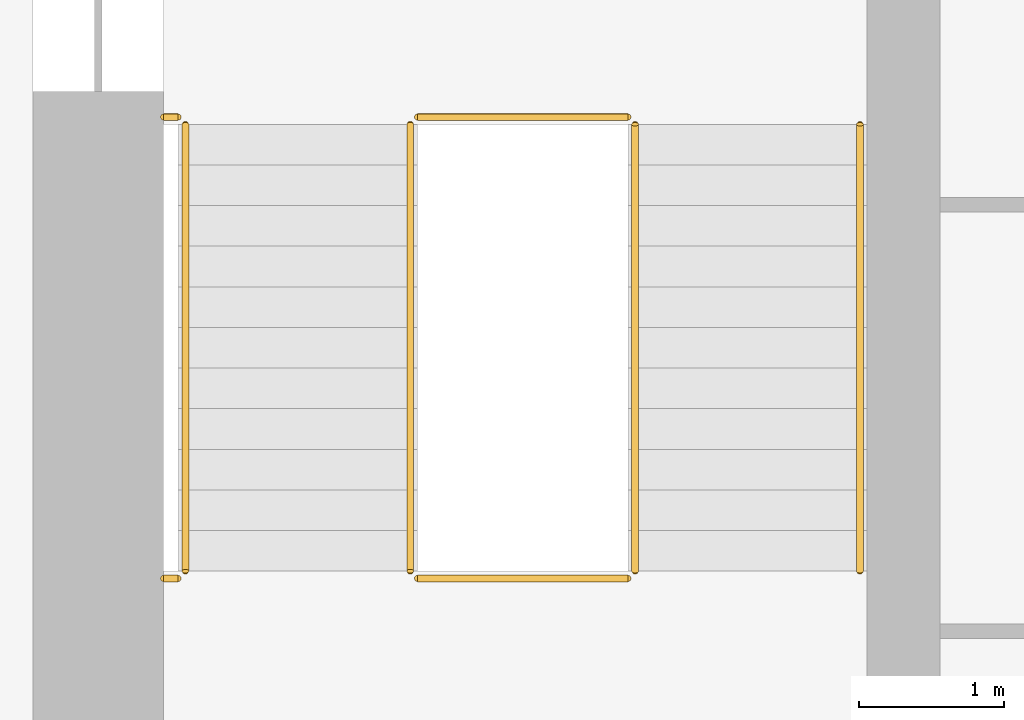
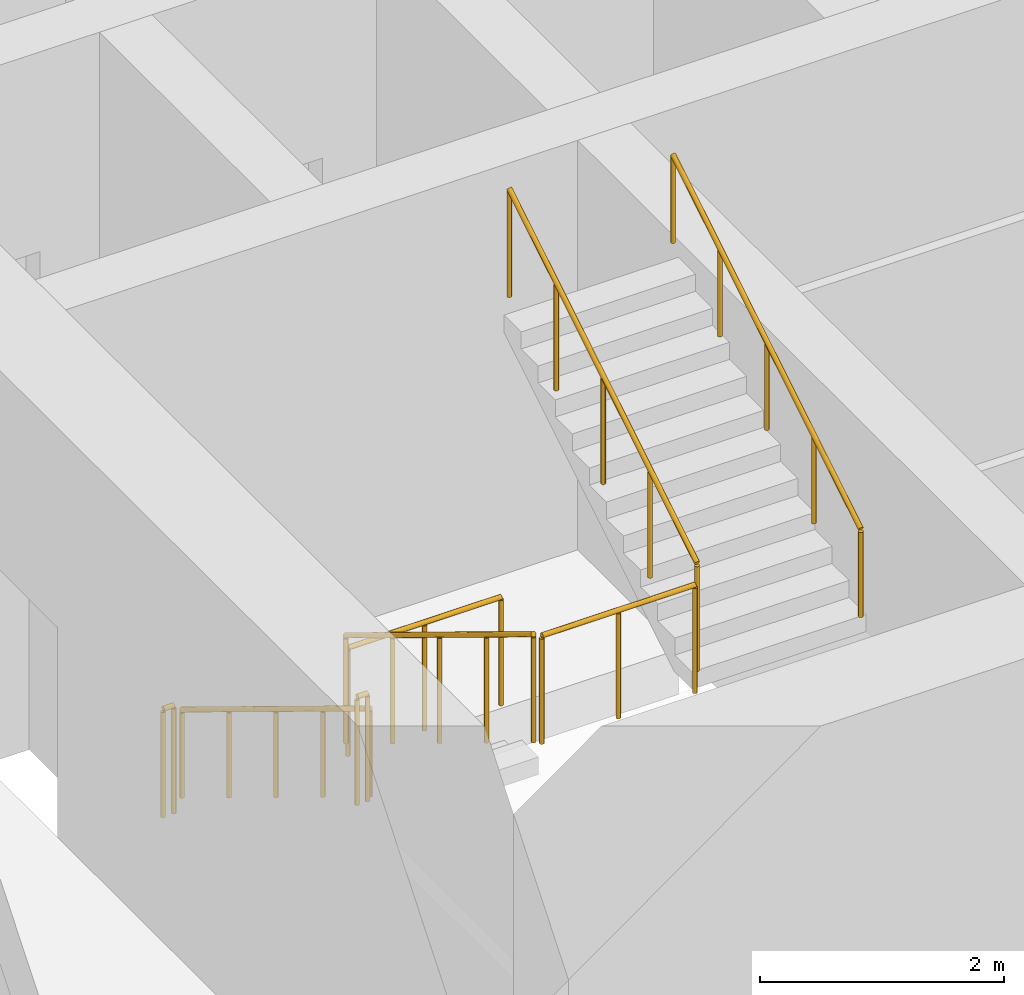
# One storey, part 10 of 16: 8 railings.
"""IFC4 building model written with IfcOpenShell, lengths in metres."""

from ifc_helpers import new_model, si_unit, direction, frame, origin, origin_2d, place, context, subcontext, project, spatial, circle, extrude, material, type_object, element, save


model = new_model("IFC4")

# Units and contexts
model_context = context("Model", 3, precision=1e-05, world=origin(), true_north=direction((0.0, 1.0)))
body_context = subcontext(model_context, "Body", "Model", "MODEL_VIEW")
ifc_project = project(units=[si_unit("LENGTHUNIT", "METRE"), si_unit("AREAUNIT", "SQUARE_METRE"), si_unit("VOLUMEUNIT", "CUBIC_METRE"), si_unit("PLANEANGLEUNIT", "RADIAN"), si_unit("MASSUNIT", "GRAM", prefix="KILO")], contexts=[model_context])

# Site, building, storey
site_placement = place(None, origin())
site = spatial("IfcSite", under=ifc_project, at=site_placement, CompositionType="ELEMENT")
building_placement = place(site_placement, origin())
building = spatial("IfcBuilding", under=site, at=building_placement, Name="Corbel Stack Research Tower", CompositionType="ELEMENT")
storey_placement = place(building_placement, frame((0.0, 0.0, 120.800048828125)))
storey = spatial("IfcBuildingStorey", under=building, at=storey_placement, Name="L27", CompositionType="ELEMENT", Elevation=120.800048828125)

# Railings
ifc_material_1 = material(Name="Steel S355", Category="steel")
railing_type_1 = type_object("IfcRailingType", Name="Stair guard 1100", PredefinedType="GUARDRAIL", material=ifc_material_1)
railing_1_placement = place(storey_placement, frame((-7.89990234375, -2.39990234375, 0.1708984375)))
element("IfcRailing", 1, at=railing_1_placement, inside=storey, type_object=railing_type_1, Name="L27 ST-W1 stair guard 1", PredefinedType="GUARDRAIL", context=body_context, shape_type="SweptSolid", body=[
    extrude(circle(Radius=0.02392578125, at=origin_2d()), frame((0.0, 0.0, 1.076171875), z_axis=(0.0, -0.853666305674, 0.52082035152), x_axis=(1.0, 0.0, 0.0)), (0.0, 0.0, 1.0), 3.608154296875),
    extrude(circle(Radius=0.02099609375, at=origin_2d()), origin(), (0.0, 0.0, 1.0), 1.052001953125),
    extrude(circle(Radius=0.02099609375, at=origin_2d()), frame((0.0, -0.77001953125, 0.4697265625)), (0.0, 0.0, 1.0), 1.052001953125),
    extrude(circle(Radius=0.02099609375, at=origin_2d()), frame((0.0, -1.5400390625, 0.939453125)), (0.0, 0.0, 1.0), 1.052001953125),
    extrude(circle(Radius=0.02099609375, at=origin_2d()), frame((0.0, -2.31005859375, 1.409423828125)), (0.0, 0.0, 1.0), 1.052001953125),
    extrude(circle(Radius=0.02099609375, at=origin_2d()), frame((0.0, -3.080078125, 1.879150390625)), (0.0, 0.0, 1.0), 1.052001953125),
])
railing_2_placement = place(storey_placement, frame((-7.85009765625, -5.530029296875, 2.050048828125)))
element("IfcRailing", 2, at=railing_2_placement, inside=storey, type_object=railing_type_1, Name="L27 ST-W1 stair guard 2", PredefinedType="GUARDRAIL", context=body_context, shape_type="SweptSolid", body=[
    extrude(circle(Radius=0.02392578125, at=origin_2d()), frame((0.0, 0.0, 1.076171875), z_axis=(1.0, 0.0, 0.0), x_axis=(0.0, 1.0, 0.0)), (0.0, 0.0, 1.0), 1.4501953125),
    extrude(circle(Radius=0.02099609375, at=origin_2d()), origin(), (0.0, 0.0, 1.0), 1.052001953125),
    extrude(circle(Radius=0.02099609375, at=origin_2d()), frame((0.72509765625, 0.0, 0.0)), (0.0, 0.0, 1.0), 1.052001953125),
    extrude(circle(Radius=0.02099609375, at=origin_2d()), frame((1.4501953125, 0.0, 0.0)), (0.0, 0.0, 1.0), 1.052001953125),
])
railing_3_placement = place(storey_placement, frame((-9.60009765625, -5.530029296875, 2.050048828125)))
element("IfcRailing", 3, at=railing_3_placement, inside=storey, type_object=railing_type_1, Name="L27 ST-W1 stair guard 3", PredefinedType="GUARDRAIL", context=body_context, shape_type="SweptSolid", body=[
    extrude(circle(Radius=0.02392578125, at=origin_2d()), frame((0.0, 0.0, 1.076171875), z_axis=(1.0, 0.0, 0.0), x_axis=(0.0, 1.0, 0.0)), (0.0, 0.0, 1.0), 0.10009765625),
    extrude(circle(Radius=0.02099609375, at=origin_2d()), origin(), (0.0, 0.0, 1.0), 1.052001953125),
    extrude(circle(Radius=0.02099609375, at=origin_2d()), frame((0.10009765625, 0.0, 0.0)), (0.0, 0.0, 1.0), 1.052001953125),
])
railing_4_placement = place(storey_placement, frame((-6.35009765625, -5.47998046875, 2.220703125)))
element("IfcRailing", 4, at=railing_4_placement, inside=storey, type_object=railing_type_1, Name="L27 ST-W1 stair guard 4", PredefinedType="GUARDRAIL", context=body_context, shape_type="SweptSolid", body=[
    extrude(circle(Radius=0.02392578125, at=origin_2d()), frame((0.0, 0.0, 1.076171875), z_axis=(0.0, 0.853666305674, 0.52082035152), x_axis=(-1.0, 0.0, 0.0)), (0.0, 0.0, 1.0), 3.608154296875),
    extrude(circle(Radius=0.02099609375, at=origin_2d()), origin(), (0.0, 0.0, 1.0), 1.052001953125),
    extrude(circle(Radius=0.02099609375, at=origin_2d()), frame((0.0, 0.77001953125, 0.4697265625)), (0.0, 0.0, 1.0), 1.052001953125),
    extrude(circle(Radius=0.02099609375, at=origin_2d()), frame((0.0, 1.5400390625, 0.939453125)), (0.0, 0.0, 1.0), 1.052001953125),
    extrude(circle(Radius=0.02099609375, at=origin_2d()), frame((0.0, 2.31005859375, 1.409423828125)), (0.0, 0.0, 1.0), 1.052001953125),
    extrude(circle(Radius=0.02099609375, at=origin_2d()), frame((0.0, 3.080078125, 1.879150390625)), (0.0, 0.0, 1.0), 1.052001953125),
])
railing_5_placement = place(storey_placement, frame((-7.85009765625, -2.35009765625, 0.0)))
element("IfcRailing", 5, at=railing_5_placement, inside=storey, type_object=railing_type_1, Name="L27 ST-W1 stair guard 5", PredefinedType="GUARDRAIL", context=body_context, shape_type="SweptSolid", body=[
    extrude(circle(Radius=0.02392578125, at=origin_2d()), frame((0.0, 0.0, 1.076171875), z_axis=(1.0, 0.0, 0.0), x_axis=(0.0, 1.0, 0.0)), (0.0, 0.0, 1.0), 1.4501953125),
    extrude(circle(Radius=0.02099609375, at=origin_2d()), origin(), (0.0, 0.0, 1.0), 1.052001953125),
    extrude(circle(Radius=0.02099609375, at=origin_2d()), frame((0.72509765625, 0.0, 0.0)), (0.0, 0.0, 1.0), 1.052001953125),
    extrude(circle(Radius=0.02099609375, at=origin_2d()), frame((1.4501953125, 0.0, 0.0)), (0.0, 0.0, 1.0), 1.052001953125),
])
railing_6_placement = place(storey_placement, frame((-9.60009765625, -2.35009765625, 0.0)))
element("IfcRailing", 6, at=railing_6_placement, inside=storey, type_object=railing_type_1, Name="L27 ST-W1 stair guard 6", PredefinedType="GUARDRAIL", context=body_context, shape_type="SweptSolid", body=[
    extrude(circle(Radius=0.02392578125, at=origin_2d()), frame((0.0, 0.0, 1.076171875), z_axis=(1.0, 0.0, 0.0), x_axis=(0.0, 1.0, 0.0)), (0.0, 0.0, 1.0), 0.10009765625),
    extrude(circle(Radius=0.02099609375, at=origin_2d()), origin(), (0.0, 0.0, 1.0), 1.052001953125),
    extrude(circle(Radius=0.02099609375, at=origin_2d()), frame((0.10009765625, 0.0, 0.0)), (0.0, 0.0, 1.0), 1.052001953125),
])
ifc_material_2 = material(Name="Steel S355", Category="steel")
railing_type_2 = type_object("IfcRailingType", Name="Stair handrail 900", PredefinedType="HANDRAIL", material=ifc_material_2)
railing_7_placement = place(storey_placement, frame((-9.449951171875, -2.39990234375, 0.1708984375)))
element("IfcRailing", 7, at=railing_7_placement, inside=storey, type_object=railing_type_2, Name="L27 ST-W1 stair handrail 1", PredefinedType="HANDRAIL", context=body_context, shape_type="SweptSolid", body=[
    extrude(circle(Radius=0.02392578125, at=origin_2d()), frame((0.0, 0.0, 0.8759765625), z_axis=(0.0, -0.853666305674, 0.52082035152), x_axis=(1.0, 0.0, 0.0)), (0.0, 0.0, 1.0), 3.608154296875),
    extrude(circle(Radius=0.02099609375, at=origin_2d()), origin(), (0.0, 0.0, 1.0), 0.851806640625),
    extrude(circle(Radius=0.02099609375, at=origin_2d()), frame((0.0, -0.77001953125, 0.4697265625)), (0.0, 0.0, 1.0), 0.851806640625),
    extrude(circle(Radius=0.02099609375, at=origin_2d()), frame((0.0, -1.5400390625, 0.939453125)), (0.0, 0.0, 1.0), 0.851806640625),
    extrude(circle(Radius=0.02099609375, at=origin_2d()), frame((0.0, -2.31005859375, 1.409423828125)), (0.0, 0.0, 1.0), 0.851806640625),
    extrude(circle(Radius=0.02099609375, at=origin_2d()), frame((0.0, -3.080078125, 1.879150390625)), (0.0, 0.0, 1.0), 0.851806640625),
])
railing_8_placement = place(storey_placement, frame((-4.800048828125, -5.47998046875, 2.220703125)))
element("IfcRailing", 8, at=railing_8_placement, inside=storey, type_object=railing_type_2, Name="L27 ST-W1 stair handrail 2", PredefinedType="HANDRAIL", context=body_context, shape_type="SweptSolid", body=[
    extrude(circle(Radius=0.02392578125, at=origin_2d()), frame((0.0, 0.0, 0.8759765625), z_axis=(0.0, 0.853666305674, 0.52082035152), x_axis=(-1.0, 0.0, 0.0)), (0.0, 0.0, 1.0), 3.608154296875),
    extrude(circle(Radius=0.02099609375, at=origin_2d()), origin(), (0.0, 0.0, 1.0), 0.851806640625),
    extrude(circle(Radius=0.02099609375, at=origin_2d()), frame((0.0, 0.77001953125, 0.4697265625)), (0.0, 0.0, 1.0), 0.851806640625),
    extrude(circle(Radius=0.02099609375, at=origin_2d()), frame((0.0, 1.5400390625, 0.939453125)), (0.0, 0.0, 1.0), 0.851806640625),
    extrude(circle(Radius=0.02099609375, at=origin_2d()), frame((0.0, 2.31005859375, 1.409423828125)), (0.0, 0.0, 1.0), 0.851806640625),
    extrude(circle(Radius=0.02099609375, at=origin_2d()), frame((0.0, 3.080078125, 1.879150390625)), (0.0, 0.0, 1.0), 0.851806640625),
])

save(model, "model.ifc")
